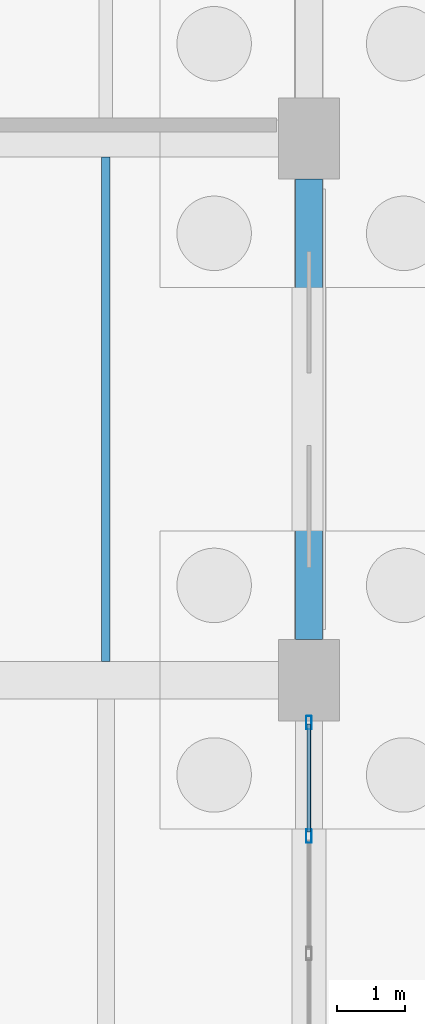
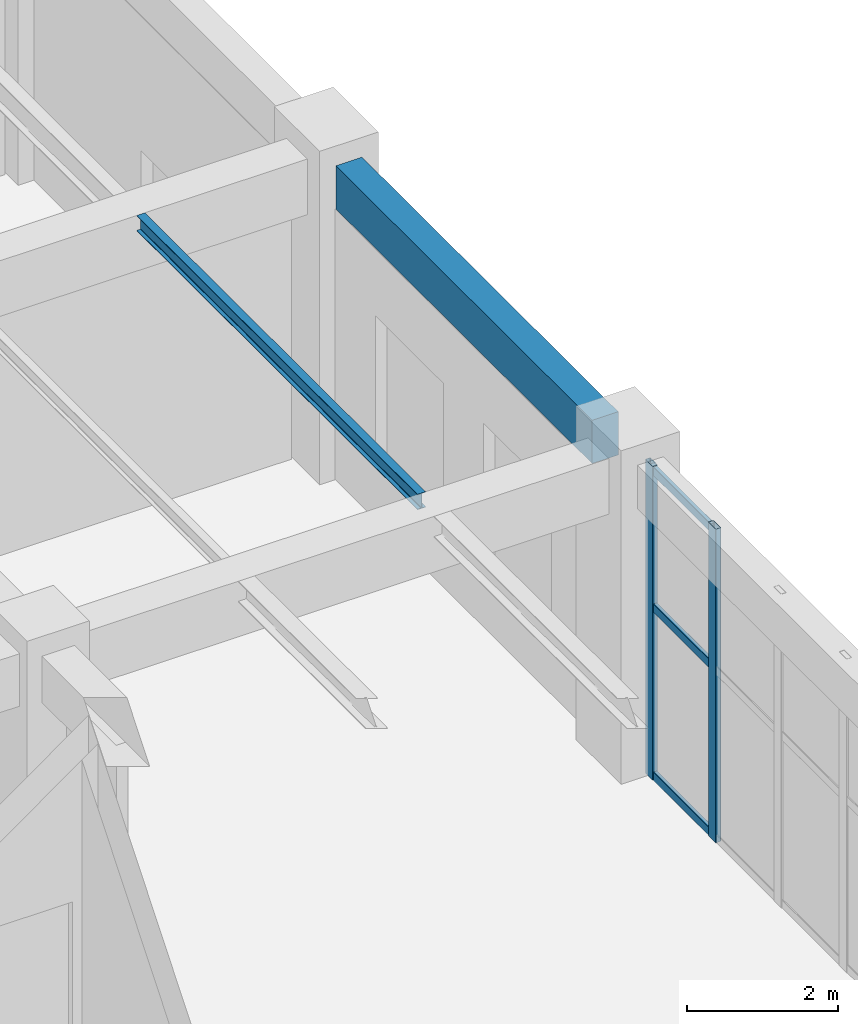
# One storey, part 65 of 121: 5 members, 2 beams, 1 element without a shape of its own.
"""IFC4 building model written with IfcOpenShell, lengths in metres."""

from ifc_helpers import new_model, si_unit, derived_unit, direction, frame, origin, origin_2d, place, context, subcontext, project, spatial, rectangle, hollow_rectangle, i_section, extrude, material, material_profile, profile_set, type_object, element, aggregate, save


model = new_model("IFC4")

# Units and contexts
model_context = context("Model", 3, precision=1e-05, world=origin(), true_north=direction((0.0, 1.0)))
body_context = subcontext(model_context, "Body", "Model", "MODEL_VIEW")
ifc_project = project(units=[si_unit("LENGTHUNIT", "METRE"), si_unit("AREAUNIT", "SQUARE_METRE"), si_unit("VOLUMEUNIT", "CUBIC_METRE"), si_unit("PLANEANGLEUNIT", "RADIAN"), si_unit("MASSUNIT", "GRAM", prefix="KILO"), derived_unit("THERMALTRANSMITTANCEUNIT", [(si_unit("MASSUNIT", "GRAM", prefix="KILO"), 1), (si_unit("TIMEUNIT", "SECOND"), -3), (si_unit("THERMODYNAMICTEMPERATUREUNIT", "KELVIN"), -1)])], contexts=[model_context])

# Site, building, storey
site_placement = place(None, origin())
site = spatial("IfcSite", under=ifc_project, at=site_placement, CompositionType="ELEMENT")
building_placement = place(site_placement, origin())
building = spatial("IfcBuilding", under=site, at=building_placement, Name="Zhenchuan Archway Interchange", CompositionType="ELEMENT")
storey_placement = place(building_placement, origin())
storey = spatial("IfcBuildingStorey", under=building, at=storey_placement, Name="L00", CompositionType="ELEMENT", Elevation=0.0)

# Curtain wall, members
ifc_material_1 = material(Name="Anodised Aluminium", Category="aluminium")
curtain_wall_type = type_object("IfcCurtainWallType", Name="CW_UNIT_4", PredefinedType="NOTDEFINED", material=ifc_material_1)
curtain_wall_placement = place(storey_placement, origin())
curtain_wall = element("IfcCurtainWall", 1, at=curtain_wall_placement, inside=storey, type_object=curtain_wall_type, Name="Unitised curtain wall CW:L00:015", PredefinedType="NOTDEFINED")
ifc_material_profile_1 = material_profile(ifc_material_1, hollow_rectangle(XDim=0.080078125, YDim=0.199951171875, WallThickness=0.00439453125, InnerFilletRadius=0.00439453125, OuterFilletRadius=0.009033203125, at=origin_2d()), Name="ALU 200x80x4.5")
ifc_profile_set_1 = profile_set([ifc_material_profile_1], Name="Anodised Aluminium")
member_type_1 = type_object("IfcMemberType", Name="CW_MUL_200", PredefinedType="MULLION", material=ifc_profile_set_1)
member_1_placement = place(storey_placement, frame((171.0, 23.3720703125, 0.0), z_axis=(0.0, 0.0, 1.0), x_axis=(1.0, 0.0, 0.0)))
member_1 = element("IfcMember", 2, at=member_1_placement, type_object=member_type_1, Name="CW:L00:015 mullion 0", PredefinedType="MULLION", context=body_context, shape_type="SweptSolid", body=[
    extrude(hollow_rectangle(XDim=0.080078125, YDim=0.199951171875, WallThickness=0.00439453125, InnerFilletRadius=0.00439453125, OuterFilletRadius=0.009033203125, at=origin_2d()), origin(), (0.0, 0.0, 1.0), 5.080078125),
])
member_2_placement = place(storey_placement, frame((171.0, 21.697265625, 0.0), z_axis=(0.0, 0.0, 1.0), x_axis=(1.0, 0.0, 0.0)))
member_2 = element("IfcMember", 3, at=member_2_placement, type_object=member_type_1, Name="CW:L00:015 mullion 1", PredefinedType="MULLION", context=body_context, shape_type="SweptSolid", body=[
    extrude(hollow_rectangle(XDim=0.080078125, YDim=0.199951171875, WallThickness=0.00439453125, InnerFilletRadius=0.00439453125, OuterFilletRadius=0.009033203125, at=origin_2d()), origin(), (0.0, 0.0, 1.0), 5.080078125),
])
ifc_material_profile_2 = material_profile(ifc_material_1, hollow_rectangle(XDim=0.06005859375, YDim=0.139892578125, WallThickness=0.00341796875, InnerFilletRadius=0.00341796875, OuterFilletRadius=0.007080078125, at=origin_2d()), Name="ALU 140x60x3.5")
ifc_profile_set_2 = profile_set([ifc_material_profile_2], Name="Anodised Aluminium")
member_type_2 = type_object("IfcMemberType", Name="CW_TRN_140", PredefinedType="USERDEFINED", material=ifc_profile_set_2)
member_3_placement = place(storey_placement, frame((171.0, 23.35205078125, 0.06005859375), z_axis=(0.0, -1.0, 0.0), x_axis=(1.0, 0.0, 0.0)))
member_3 = element("IfcMember", 4, at=member_3_placement, type_object=member_type_2, Name="CW:L00:015 transom 0-1", ObjectType="TRANSOM", PredefinedType="USERDEFINED", context=body_context, shape_type="SweptSolid", body=[
    extrude(hollow_rectangle(XDim=0.06005859375, YDim=0.139892578125, WallThickness=0.00341796875, InnerFilletRadius=0.00341796875, OuterFilletRadius=0.007080078125, at=origin_2d()), origin(), (0.0, 0.0, 1.0), 1.594970703125),
])
member_4_placement = place(storey_placement, frame((171.0, 23.35205078125, 2.782958984375), z_axis=(0.0, -1.0, 0.0), x_axis=(1.0, 0.0, 0.0)))
member_4 = element("IfcMember", 5, at=member_4_placement, type_object=member_type_2, Name="CW:L00:015 transom 0-2", ObjectType="TRANSOM", PredefinedType="USERDEFINED", context=body_context, shape_type="SweptSolid", body=[
    extrude(hollow_rectangle(XDim=0.06005859375, YDim=0.139892578125, WallThickness=0.00341796875, InnerFilletRadius=0.00341796875, OuterFilletRadius=0.007080078125, at=origin_2d()), origin(), (0.0, 0.0, 1.0), 1.594970703125),
])
member_5_placement = place(storey_placement, frame((171.0, 23.35205078125, 5.0), z_axis=(0.0, -1.0, 0.0), x_axis=(1.0, 0.0, 0.0)))
member_5 = element("IfcMember", 6, at=member_5_placement, type_object=member_type_2, Name="CW:L00:015 transom 0-3", ObjectType="TRANSOM", PredefinedType="USERDEFINED", context=body_context, shape_type="SweptSolid", body=[
    extrude(hollow_rectangle(XDim=0.06005859375, YDim=0.139892578125, WallThickness=0.00341796875, InnerFilletRadius=0.00341796875, OuterFilletRadius=0.007080078125, at=origin_2d()), origin(), (0.0, 0.0, 1.0), 1.594970703125),
])
aggregate(curtain_wall, [member_1, member_2, member_3, member_4, member_5])

# Beams
ifc_material_2 = material(Name="Steel Q355", Category="steel")
ifc_material_profile_3 = material_profile(ifc_material_2, i_section(OverallWidth=0.125, OverallDepth=0.25, WebThickness=0.006103515625, FlangeThickness=0.009033203125, FilletRadius=0.011962890625, at=origin_2d()), Name="HN 250x125")
ifc_profile_set_3 = profile_set([ifc_material_profile_3], Name="Steel Q355")
beam_type_1 = type_object("IfcBeamType", Name="JST_STL_HN250", PredefinedType="JOIST", material=ifc_profile_set_3)
beam_1_placement = place(storey_placement, frame((168.0, 24.27490234375, 4.955078125), z_axis=(0.0, 1.0, 0.0), x_axis=(-1.0, 0.0, 0.0)))
element("IfcBeam", 7, at=beam_1_placement, inside=storey, type_object=beam_type_1, Name="Secondary joist 19-20/D-E #2 (L00)", PredefinedType="JOIST", context=body_context, shape_type="SweptSolid", body=[
    extrude(i_section(OverallWidth=0.125, OverallDepth=0.25, WebThickness=0.006103515625, FlangeThickness=0.009033203125, FilletRadius=0.011962890625, at=origin_2d()), origin(), (0.0, 0.0, 1.0), 7.4501953125),
])
ifc_material_3 = material(Name="Concrete C40", Category="concrete")
ifc_material_profile_4 = material_profile(ifc_material_3, rectangle(XDim=0.39990234375, YDim=0.699951171875, at=origin_2d()), Name="RC 400x700")
ifc_profile_set_4 = profile_set([ifc_material_profile_4], Name="Concrete C40")
beam_type_2 = type_object("IfcBeamType", Name="SP_RC_400x700", PredefinedType="SPANDREL", material=ifc_profile_set_4)
beam_2_placement = place(storey_placement, frame((171.0, 24.60009765625, 4.72998046875), z_axis=(0.0, 1.0, 0.0), x_axis=(-1.0, 0.0, 0.0)))
element("IfcBeam", 8, at=beam_2_placement, inside=storey, type_object=beam_type_2, Name="Beam 20:D-E (L00)", PredefinedType="SPANDREL", context=body_context, shape_type="SweptSolid", body=[
    extrude(rectangle(XDim=0.39990234375, YDim=0.699951171875, at=origin_2d()), origin(), (0.0, 0.0, 1.0), 6.7998046875),
])

save(model, "model.ifc")
